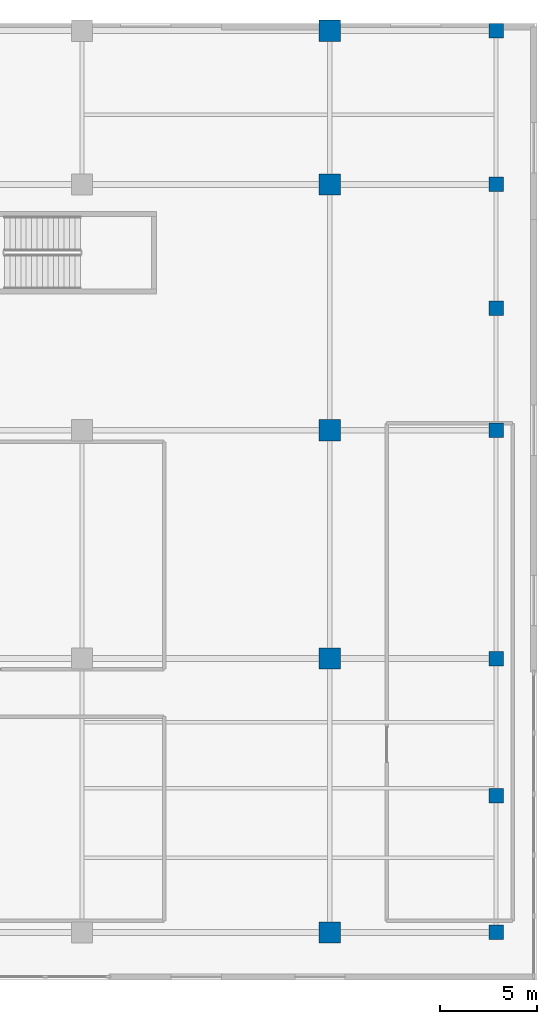
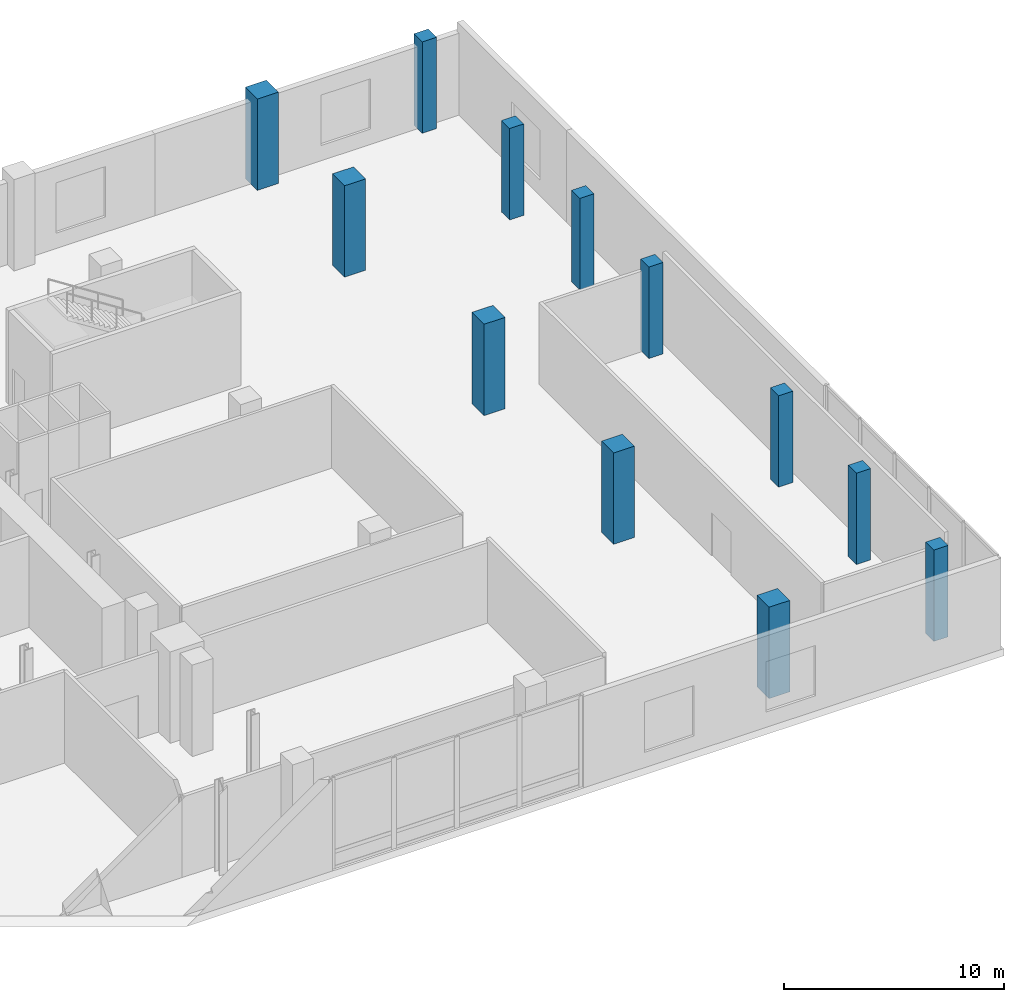
# One storey, part 2 of 12: 12 columns.
"""IFC4 building model written with IfcOpenShell, lengths in metres."""

import ifcopenshell
import ifcopenshell.guid

model = None  # the IFC model being written
_history = None  # IfcOwnerHistory: only IFC2X3 demands one
_inside = {}  # id of a spatial element -> (the spatial element, [elements in it])
_under = {}  # id of a project, library or spatial element -> (it, [spatial elements below it])
_declared = {}  # id of a project -> (the project, [libraries it declares])
_typed = {}  # id of a type object -> (the type object, [elements of that type])
_made_of = {}  # id of a material, layer set ... -> (it, [elements and type objects made of it])


def new_model(schema):
    """Start an empty IFC model of exactly this schema.

    Asked for "IFC4X3", IfcOpenShell would pick the latest addendum, in which some entities
    have other attributes; the version numbers below select the first issue.
    IFC2X3 requires an IfcOwnerHistory on every rooted entity: one is made here for all.
    """
    global model, _history
    if schema == "IFC4X3":
        model = ifcopenshell.file(schema_version=(4, 3, 0, 0))
    else:
        model = ifcopenshell.file(schema=schema)
    _inside.clear()
    _under.clear()
    _declared.clear()
    _typed.clear()
    _made_of.clear()
    _history = None
    if model.schema == "IFC2X3":
        org = make("IfcOrganization", Name="unknown")
        user = make(
            "IfcPersonAndOrganization",
            ThePerson=make("IfcPerson", FamilyName="unknown"),
            TheOrganization=org,
        )
        app = make(
            "IfcApplication",
            ApplicationDeveloper=org,
            Version="unknown",
            ApplicationFullName="unknown",
            ApplicationIdentifier="unknown",
        )
        _history = make(
            "IfcOwnerHistory",
            OwningUser=user,
            OwningApplication=app,
            ChangeAction="ADDED",
            CreationDate=0,
        )
    return model


def make(cls, **values):
    """One entity of the class cls with the attributes given. An attribute that is None is left unset."""
    return model.create_entity(
        cls, **{name: value for name, value in values.items() if value is not None}
    )


def rooted(cls, **values):
    """An entity with a GlobalId (a new one), such as an element, a storey or a relation."""
    return make(cls, GlobalId=ifcopenshell.guid.new(), OwnerHistory=_history, **values)


def si_unit(unit_type, name, prefix=None):
    """IfcSIUnit, for example si_unit("LENGTHUNIT", "METRE", prefix="MILLI")."""
    return make("IfcSIUnit", UnitType=unit_type, Prefix=prefix, Name=name)


def assignment(units):
    """IfcUnitAssignment: the units of a project."""
    return None if units is None else make("IfcUnitAssignment", Units=units)


def point(xyz):
    """IfcCartesianPoint."""
    return None if xyz is None else make("IfcCartesianPoint", Coordinates=xyz)


def direction(xyz):
    """IfcDirection."""
    return None if xyz is None else make("IfcDirection", DirectionRatios=xyz)


def frame(location, z_axis=None, x_axis=None):
    """IfcAxis2Placement3D, a coordinate frame: its origin and axes. An axis left out is left unset."""
    return make(
        "IfcAxis2Placement3D",
        Location=point(location),
        Axis=direction(z_axis),
        RefDirection=direction(x_axis),
    )


def frame_2d(location, x_axis=None):
    """IfcAxis2Placement2D, a coordinate frame in the plane: its origin and x axis."""
    return make(
        "IfcAxis2Placement2D", Location=point(location), RefDirection=direction(x_axis)
    )


def origin():
    """The frame at (0, 0, 0) with its axes left unset."""
    return frame((0.0, 0.0, 0.0))


def origin_2d():
    """The frame at (0, 0) in the plane with its x axis left unset."""
    return frame_2d((0.0, 0.0))


def place(relative_to, where):
    """IfcLocalPlacement: puts the frame where relative to a parent placement (None: the world)."""
    return make(
        "IfcLocalPlacement", PlacementRelTo=relative_to, RelativePlacement=where
    )


def context(
    kind, dimensions, precision=None, world=None, true_north=None, identifier=None
):
    """IfcGeometricRepresentationContext, for example the 3D "Model" context."""
    return make(
        "IfcGeometricRepresentationContext",
        ContextIdentifier=identifier,
        ContextType=kind,
        CoordinateSpaceDimension=dimensions,
        Precision=precision,
        WorldCoordinateSystem=world,
        TrueNorth=true_north,
    )


def subcontext(parent, identifier, kind, view, scale=None):
    """IfcGeometricRepresentationSubContext, for example "Body" below "Model"."""
    return make(
        "IfcGeometricRepresentationSubContext",
        ContextIdentifier=identifier,
        ContextType=kind,
        ParentContext=parent,
        TargetScale=scale,
        TargetView=view,
    )


def project(units=None, contexts=None):
    """IfcProject with its units and contexts."""
    return rooted(
        "IfcProject",
        Name="project",
        RepresentationContexts=contexts,
        UnitsInContext=assignment(units),
    )


def spatial(cls, under=None, at=None, **own):
    """A site, building, storey or space (cls), placed at a placement, below another one or the project."""
    s = rooted(cls, ObjectPlacement=at, **own)
    if under is not None:
        _under.setdefault(under.id(), (under, []))[1].append(s)
    return s


def profile(cls, at=None, kind="AREA", **sizes):
    """A parametric profile (cls). Its sizes go by their IFC names, for example OverallWidth=200.0."""
    return make(cls, ProfileType=kind, Position=at, **sizes)


def rectangle(**sizes):
    """IfcRectangleProfileDef."""
    return profile("IfcRectangleProfileDef", **sizes)


def extrude(swept, where, along, depth):
    """IfcExtrudedAreaSolid: the profile swept, set in the frame where, extruded along a direction by depth."""
    return make(
        "IfcExtrudedAreaSolid",
        SweptArea=swept,
        Position=where,
        ExtrudedDirection=direction(along),
        Depth=depth,
    )


def shape(context_of_items, identifier, shape_type, items):
    """IfcShapeRepresentation: the items that make up one representation, for example the "Body"."""
    return make(
        "IfcShapeRepresentation",
        ContextOfItems=context_of_items,
        RepresentationIdentifier=identifier,
        RepresentationType=shape_type,
        Items=items,
    )


def source(mapping_origin, context_of_items, identifier, shape_type, items):
    """IfcRepresentationMap: a shape defined once, which mapped items show again and again."""
    return make(
        "IfcRepresentationMap",
        MappingOrigin=mapping_origin,
        MappedRepresentation=shape(context_of_items, identifier, shape_type, items),
    )


def transform(
    local_origin,
    x_axis=None,
    y_axis=None,
    z_axis=None,
    scale=None,
    scale2=None,
    scale3=None,
    uniform=True,
):
    """IfcCartesianTransformationOperator3D, or its non-uniform kind. x_axis, y_axis, z_axis: its Axis1, 2, 3."""
    if uniform:
        return make(
            "IfcCartesianTransformationOperator3D",
            Axis1=direction(x_axis),
            Axis2=direction(y_axis),
            LocalOrigin=point(local_origin),
            Scale=scale,
            Axis3=direction(z_axis),
        )
    return make(
        "IfcCartesianTransformationOperator3DnonUniform",
        Axis1=direction(x_axis),
        Axis2=direction(y_axis),
        LocalOrigin=point(local_origin),
        Scale=scale,
        Axis3=direction(z_axis),
        Scale2=scale2,
        Scale3=scale3,
    )


def mapped(mapping_source, mapping_target):
    """IfcMappedItem: shows the shape of a source again, moved by a transform."""
    return make(
        "IfcMappedItem", MappingSource=mapping_source, MappingTarget=mapping_target
    )


def material(Name=None, Category=None):
    """IfcMaterial."""
    return make("IfcMaterial", Name=Name, Category=Category)


def material_profile(
    of_material, cross_section, Name=None, Category=None, Priority=None
):
    """IfcMaterialProfile: a cross section and its material."""
    return make(
        "IfcMaterialProfile",
        Name=Name,
        Material=of_material,
        Profile=cross_section,
        Priority=Priority,
        Category=Category,
    )


def profile_set(profiles, Name=None, composite=None):
    """IfcMaterialProfileSet."""
    return make(
        "IfcMaterialProfileSet",
        Name=Name,
        MaterialProfiles=profiles,
        CompositeProfile=composite,
    )


def made_of(thing, what):
    """Note that an element or type object is made of a material, layer set ...; save() writes the relation."""
    if what is not None:
        _made_of.setdefault(what.id(), (what, []))[1].append(thing)
    return thing


def type_object(cls, material=None, **own):
    """A type object (cls), such as IfcWallType, which elements share."""
    return made_of(rooted(cls, **own), material)


def element(
    cls,
    number,
    at=None,
    inside=None,
    cuts=None,
    type_object=None,
    material=None,
    context=None,
    identifier="Body",
    shape_type=None,
    held_by="IfcProductDefinitionShape",
    body=None,
    shapes=None,
    **own,
):
    """One element of the class cls, such as IfcWall. Its Tag is "e" and its number.

    at: its placement. inside: the storey or other place that contains it. cuts: it is an
    opening in that element (IfcRelVoidsElement). A single representation is given by context,
    identifier, shape_type and body (its items); several are given by shapes. held_by: the class
    of the entity that holds the representations. save() writes the other relations.
    """
    e = rooted(cls, Tag="e%d" % number, ObjectPlacement=at, **own)
    if body is not None:
        shapes = [shape(context, identifier, shape_type, body)]
    if shapes is not None:
        e.Representation = make(held_by, Representations=shapes)
    if inside is not None:
        _inside.setdefault(inside.id(), (inside, []))[1].append(e)
    if cuts is not None:
        rooted(
            "IfcRelVoidsElement", RelatingBuildingElement=cuts, RelatedOpeningElement=e
        )
    if type_object is not None:
        _typed.setdefault(type_object.id(), (type_object, []))[1].append(e)
    return made_of(e, material)


def aggregate(whole, parts):
    """IfcRelAggregates: a whole, such as a stair, and the parts it consists of."""
    return rooted("IfcRelAggregates", RelatingObject=whole, RelatedObjects=parts)


def save(model, path):
    """Write the relations noted so far, then the file.

    IfcRelAggregates (storeys below a building ...), IfcRelContainedInSpatialStructure (elements
    in a storey), IfcRelDefinesByType, IfcRelAssociatesMaterial and IfcRelDeclares: one each for
    every whole, place, type object, material and project.
    """
    for whole, parts in _under.values():
        aggregate(whole, parts)
    for where, things in _inside.values():
        rooted(
            "IfcRelContainedInSpatialStructure",
            RelatedElements=things,
            RelatingStructure=where,
        )
    for kind, things in _typed.values():
        rooted("IfcRelDefinesByType", RelatedObjects=things, RelatingType=kind)
    for what, things in _made_of.values():
        rooted("IfcRelAssociatesMaterial", RelatedObjects=things, RelatingMaterial=what)
    for by, libraries in _declared.values():
        rooted("IfcRelDeclares", RelatingContext=by, RelatedDefinitions=libraries)
    model.write(path)


model = new_model("IFC4")

# Units and contexts
model_context = context("Model", 3, precision=1e-05, world=origin(), true_north=direction((0.0, 1.0)))
body_context = subcontext(model_context, "Body", "Model", "MODEL_VIEW")
ifc_project = project(units=[si_unit("LENGTHUNIT", "METRE"), si_unit("AREAUNIT", "SQUARE_METRE"), si_unit("VOLUMEUNIT", "CUBIC_METRE"), si_unit("PLANEANGLEUNIT", "RADIAN"), si_unit("MASSUNIT", "GRAM", prefix="KILO")], contexts=[model_context])

# Site, building, storey
site_placement = place(None, origin())
site = spatial("IfcSite", under=ifc_project, at=site_placement, CompositionType="ELEMENT")
building_placement = place(site_placement, origin())
building = spatial("IfcBuilding", under=site, at=building_placement, Name="Vardaveli Station Tower", CompositionType="ELEMENT")
storey_placement = place(building_placement, frame((0.0, 0.0, 17.0)))
storey = spatial("IfcBuildingStorey", under=building, at=storey_placement, Name="L04", CompositionType="ELEMENT", Elevation=17.0)

# Columns
ifc_material_1 = material(Name="Concrete C60/75", Category="concrete")
ifc_material_profile_1 = material_profile(ifc_material_1, rectangle(XDim=1.10009765625, YDim=1.10009765625, at=origin_2d()), Name="RC 1100x1100")
ifc_profile_set_1 = profile_set([ifc_material_profile_1], Name="Concrete C60/75")
column_type_1 = type_object("IfcColumnType", Name="COL-RC-1100", PredefinedType="COLUMN", material=ifc_profile_set_1)
shared_shape_1 = source(origin(), body_context, "Body", "SweptSolid", [
    extrude(rectangle(XDim=1.10009765625, YDim=1.10009765625, at=origin_2d()), origin(), (0.0, 0.0, 1.0), 5.080078125),
])
for number, where, z_axis, x_axis, name in (
    (1, (72.800048828125, 2.949951171875, 0.0), (0.0, 0.0, 1.0), (1.0, 0.0, 0.0), "COL-L04-SC07"),
    (2, (72.800048828125, 17.10009765625, 0.0), (0.0, 0.0, 1.0), (1.0, 0.0, 0.0), "COL-L04-SC15"),
    (3, (72.800048828125, 28.89990234375, 0.0), (0.0, 0.0, 1.0), (1.0, 0.0, 0.0), "COL-L04-SC19"),
    (4, (72.800048828125, 41.60009765625, 0.0), (0.0, 0.0, 1.0), (1.0, 0.0, 0.0), "COL-L04-SC27"),
    (5, (72.800048828125, 49.550048828125, 0.0), (0.0, 0.0, 1.0), (1.0, 0.0, 0.0), "COL-L04-SC36"),
):
    element("IfcColumn", number, at=place(storey_placement, frame(where, z_axis=z_axis, x_axis=x_axis)), inside=storey, type_object=column_type_1, Name=name, PredefinedType="COLUMN", context=body_context, shape_type="MappedRepresentation", body=[
        mapped(shared_shape_1, transform((0.0, 0.0, 0.0), scale=1.0)),
    ])
ifc_material_2 = material(Name="Precast concrete C45/55", Category="concrete")
ifc_material_profile_2 = material_profile(ifc_material_2, rectangle(XDim=0.75, YDim=0.75, at=origin_2d()), Name="LPF 750x750")
ifc_profile_set_2 = profile_set([ifc_material_profile_2], Name="Precast concrete C45/55")
column_type_2 = type_object("IfcColumnType", Name="COL-LPF-750", PredefinedType="COLUMN", material=ifc_profile_set_2)
shared_shape_2 = source(origin(), body_context, "Body", "SweptSolid", [
    extrude(rectangle(XDim=0.75, YDim=0.75, at=origin_2d()), origin(), (0.0, 0.0, 1.0), 5.080078125),
])
for number, where, z_axis, x_axis, name in (
    (6, (81.39990234375, 2.949951171875, 0.0), (0.0, 0.0, 1.0), (1.0, 0.0, 0.0), "COL-L04-EC01"),
    (7, (81.39990234375, 10.0, 0.0), (0.0, 0.0, 1.0), (1.0, 0.0, 0.0), "COL-L04-EC02"),
    (8, (81.39990234375, 17.10009765625, 0.0), (0.0, 0.0, 1.0), (1.0, 0.0, 0.0), "COL-L04-EC03"),
    (9, (81.39990234375, 28.89990234375, 0.0), (0.0, 0.0, 1.0), (1.0, 0.0, 0.0), "COL-L04-EC04"),
    (10, (81.39990234375, 35.199951171875, 0.0), (0.0, 0.0, 1.0), (1.0, 0.0, 0.0), "COL-L04-EC05"),
    (11, (81.39990234375, 41.60009765625, 0.0), (0.0, 0.0, 1.0), (1.0, 0.0, 0.0), "COL-L04-EC06"),
    (12, (81.39990234375, 49.550048828125, 0.0), (0.0, 0.0, 1.0), (1.0, 0.0, 0.0), "COL-L04-EC07"),
):
    element("IfcColumn", number, at=place(storey_placement, frame(where, z_axis=z_axis, x_axis=x_axis)), inside=storey, type_object=column_type_2, Name=name, PredefinedType="COLUMN", context=body_context, shape_type="MappedRepresentation", body=[
        mapped(shared_shape_2, transform((0.0, 0.0, 0.0), scale=1.0)),
    ])

save(model, "model.ifc")
